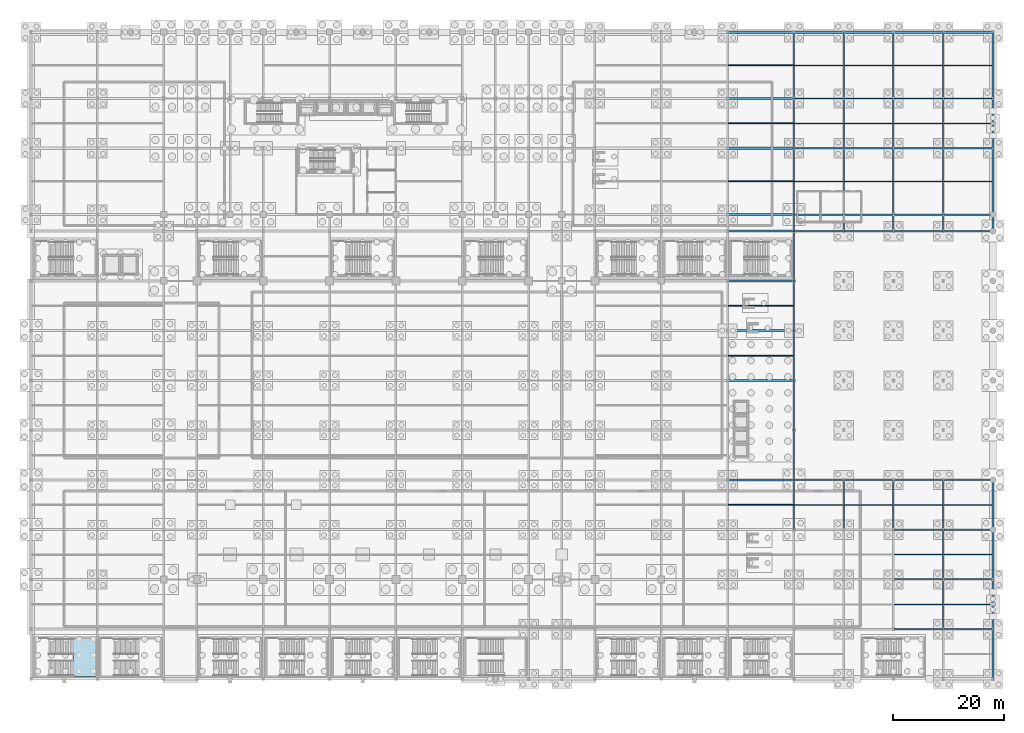
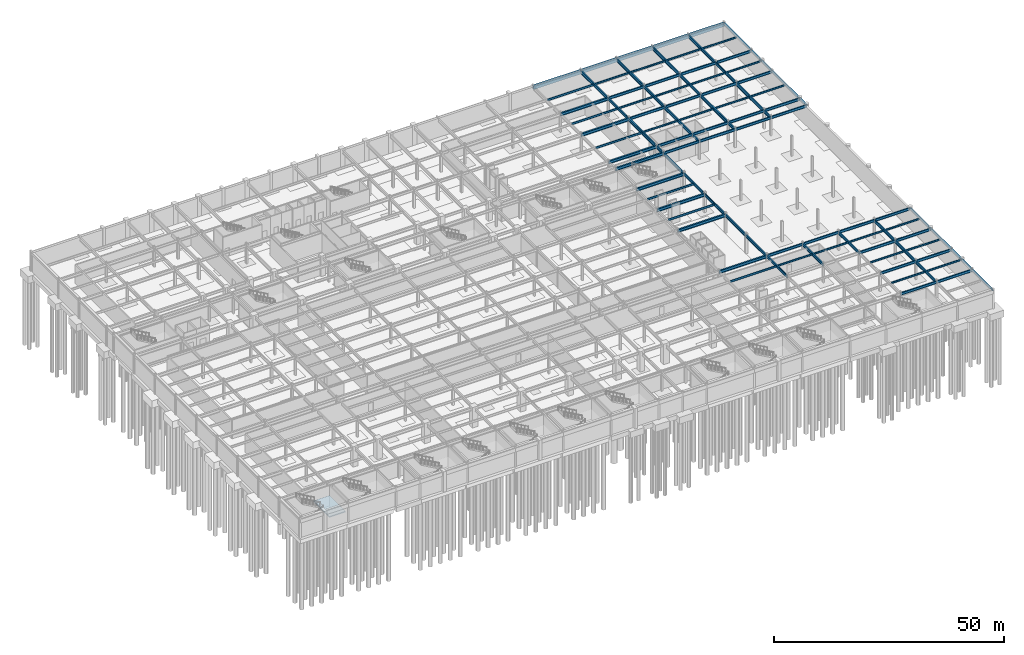
# One storey, part 21 of 47: 100 beams, 1 slab, 1 element without a shape of its own.
"""IFC4 building model written with IfcOpenShell, lengths in metres."""

import ifcopenshell
import ifcopenshell.guid

model = None  # the IFC model being written
_history = None  # IfcOwnerHistory: only IFC2X3 demands one
_inside = {}  # id of a spatial element -> (the spatial element, [elements in it])
_under = {}  # id of a project, library or spatial element -> (it, [spatial elements below it])
_declared = {}  # id of a project -> (the project, [libraries it declares])
_typed = {}  # id of a type object -> (the type object, [elements of that type])
_made_of = {}  # id of a material, layer set ... -> (it, [elements and type objects made of it])


def new_model(schema):
    """Start an empty IFC model of exactly this schema.

    Asked for "IFC4X3", IfcOpenShell would pick the latest addendum, in which some entities
    have other attributes; the version numbers below select the first issue.
    IFC2X3 requires an IfcOwnerHistory on every rooted entity: one is made here for all.
    """
    global model, _history
    if schema == "IFC4X3":
        model = ifcopenshell.file(schema_version=(4, 3, 0, 0))
    else:
        model = ifcopenshell.file(schema=schema)
    _inside.clear()
    _under.clear()
    _declared.clear()
    _typed.clear()
    _made_of.clear()
    _history = None
    if model.schema == "IFC2X3":
        org = make("IfcOrganization", Name="unknown")
        user = make(
            "IfcPersonAndOrganization",
            ThePerson=make("IfcPerson", FamilyName="unknown"),
            TheOrganization=org,
        )
        app = make(
            "IfcApplication",
            ApplicationDeveloper=org,
            Version="unknown",
            ApplicationFullName="unknown",
            ApplicationIdentifier="unknown",
        )
        _history = make(
            "IfcOwnerHistory",
            OwningUser=user,
            OwningApplication=app,
            ChangeAction="ADDED",
            CreationDate=0,
        )
    return model


def make(cls, **values):
    """One entity of the class cls with the attributes given. An attribute that is None is left unset."""
    return model.create_entity(
        cls, **{name: value for name, value in values.items() if value is not None}
    )


def rooted(cls, **values):
    """An entity with a GlobalId (a new one), such as an element, a storey or a relation."""
    return make(cls, GlobalId=ifcopenshell.guid.new(), OwnerHistory=_history, **values)


def si_unit(unit_type, name, prefix=None):
    """IfcSIUnit, for example si_unit("LENGTHUNIT", "METRE", prefix="MILLI")."""
    return make("IfcSIUnit", UnitType=unit_type, Prefix=prefix, Name=name)


def assignment(units):
    """IfcUnitAssignment: the units of a project."""
    return None if units is None else make("IfcUnitAssignment", Units=units)


def point(xyz):
    """IfcCartesianPoint."""
    return None if xyz is None else make("IfcCartesianPoint", Coordinates=xyz)


def direction(xyz):
    """IfcDirection."""
    return None if xyz is None else make("IfcDirection", DirectionRatios=xyz)


def frame(location, z_axis=None, x_axis=None):
    """IfcAxis2Placement3D, a coordinate frame: its origin and axes. An axis left out is left unset."""
    return make(
        "IfcAxis2Placement3D",
        Location=point(location),
        Axis=direction(z_axis),
        RefDirection=direction(x_axis),
    )


def frame_2d(location, x_axis=None):
    """IfcAxis2Placement2D, a coordinate frame in the plane: its origin and x axis."""
    return make(
        "IfcAxis2Placement2D", Location=point(location), RefDirection=direction(x_axis)
    )


def origin():
    """The frame at (0, 0, 0) with its axes left unset."""
    return frame((0.0, 0.0, 0.0))


def origin_2d():
    """The frame at (0, 0) in the plane with its x axis left unset."""
    return frame_2d((0.0, 0.0))


def place(relative_to, where):
    """IfcLocalPlacement: puts the frame where relative to a parent placement (None: the world)."""
    return make(
        "IfcLocalPlacement", PlacementRelTo=relative_to, RelativePlacement=where
    )


def context(
    kind, dimensions, precision=None, world=None, true_north=None, identifier=None
):
    """IfcGeometricRepresentationContext, for example the 3D "Model" context."""
    return make(
        "IfcGeometricRepresentationContext",
        ContextIdentifier=identifier,
        ContextType=kind,
        CoordinateSpaceDimension=dimensions,
        Precision=precision,
        WorldCoordinateSystem=world,
        TrueNorth=true_north,
    )


def subcontext(parent, identifier, kind, view, scale=None):
    """IfcGeometricRepresentationSubContext, for example "Body" below "Model"."""
    return make(
        "IfcGeometricRepresentationSubContext",
        ContextIdentifier=identifier,
        ContextType=kind,
        ParentContext=parent,
        TargetScale=scale,
        TargetView=view,
    )


def project(units=None, contexts=None):
    """IfcProject with its units and contexts."""
    return rooted(
        "IfcProject",
        Name="project",
        RepresentationContexts=contexts,
        UnitsInContext=assignment(units),
    )


def spatial(cls, under=None, at=None, **own):
    """A site, building, storey or space (cls), placed at a placement, below another one or the project."""
    s = rooted(cls, ObjectPlacement=at, **own)
    if under is not None:
        _under.setdefault(under.id(), (under, []))[1].append(s)
    return s


def polyline(points):
    """IfcPolyline through the points."""
    return make("IfcPolyline", Points=[point(p) for p in points])


def profile(cls, at=None, kind="AREA", **sizes):
    """A parametric profile (cls). Its sizes go by their IFC names, for example OverallWidth=200.0."""
    return make(cls, ProfileType=kind, Position=at, **sizes)


def rectangle(**sizes):
    """IfcRectangleProfileDef."""
    return profile("IfcRectangleProfileDef", **sizes)


def hollow_rectangle(**sizes):
    """IfcRectangleHollowProfileDef."""
    return profile("IfcRectangleHollowProfileDef", **sizes)


def i_section(**sizes):
    """IfcIShapeProfileDef."""
    return profile("IfcIShapeProfileDef", **sizes)


def outline(outer, holes=None, kind="AREA"):
    """IfcArbitraryClosedProfileDef: a profile drawn as a closed curve; with holes, ...WithVoids."""
    if holes is None:
        return make("IfcArbitraryClosedProfileDef", ProfileType=kind, OuterCurve=outer)
    return make(
        "IfcArbitraryProfileDefWithVoids",
        ProfileType=kind,
        OuterCurve=outer,
        InnerCurves=holes,
    )


def extrude(swept, where, along, depth):
    """IfcExtrudedAreaSolid: the profile swept, set in the frame where, extruded along a direction by depth."""
    return make(
        "IfcExtrudedAreaSolid",
        SweptArea=swept,
        Position=where,
        ExtrudedDirection=direction(along),
        Depth=depth,
    )


def shape(context_of_items, identifier, shape_type, items):
    """IfcShapeRepresentation: the items that make up one representation, for example the "Body"."""
    return make(
        "IfcShapeRepresentation",
        ContextOfItems=context_of_items,
        RepresentationIdentifier=identifier,
        RepresentationType=shape_type,
        Items=items,
    )


def material(Name=None, Category=None):
    """IfcMaterial."""
    return make("IfcMaterial", Name=Name, Category=Category)


def layer(
    of_material, thickness, ventilated=None, Name=None, Category=None, Priority=None
):
    """IfcMaterialLayer: one layer of a wall or slab, of a material (None: an air gap)."""
    return make(
        "IfcMaterialLayer",
        Material=of_material,
        LayerThickness=thickness,
        IsVentilated=ventilated,
        Name=Name,
        Category=Category,
        Priority=Priority,
    )


def layer_set(layers, Name=None):
    """IfcMaterialLayerSet."""
    return make("IfcMaterialLayerSet", MaterialLayers=layers, LayerSetName=Name)


def material_profile(
    of_material, cross_section, Name=None, Category=None, Priority=None
):
    """IfcMaterialProfile: a cross section and its material."""
    return make(
        "IfcMaterialProfile",
        Name=Name,
        Material=of_material,
        Profile=cross_section,
        Priority=Priority,
        Category=Category,
    )


def profile_set(profiles, Name=None, composite=None):
    """IfcMaterialProfileSet."""
    return make(
        "IfcMaterialProfileSet",
        Name=Name,
        MaterialProfiles=profiles,
        CompositeProfile=composite,
    )


def made_of(thing, what):
    """Note that an element or type object is made of a material, layer set ...; save() writes the relation."""
    if what is not None:
        _made_of.setdefault(what.id(), (what, []))[1].append(thing)
    return thing


def type_object(cls, material=None, **own):
    """A type object (cls), such as IfcWallType, which elements share."""
    return made_of(rooted(cls, **own), material)


def element(
    cls,
    number,
    at=None,
    inside=None,
    cuts=None,
    type_object=None,
    material=None,
    context=None,
    identifier="Body",
    shape_type=None,
    held_by="IfcProductDefinitionShape",
    body=None,
    shapes=None,
    **own,
):
    """One element of the class cls, such as IfcWall. Its Tag is "e" and its number.

    at: its placement. inside: the storey or other place that contains it. cuts: it is an
    opening in that element (IfcRelVoidsElement). A single representation is given by context,
    identifier, shape_type and body (its items); several are given by shapes. held_by: the class
    of the entity that holds the representations. save() writes the other relations.
    """
    e = rooted(cls, Tag="e%d" % number, ObjectPlacement=at, **own)
    if body is not None:
        shapes = [shape(context, identifier, shape_type, body)]
    if shapes is not None:
        e.Representation = make(held_by, Representations=shapes)
    if inside is not None:
        _inside.setdefault(inside.id(), (inside, []))[1].append(e)
    if cuts is not None:
        rooted(
            "IfcRelVoidsElement", RelatingBuildingElement=cuts, RelatedOpeningElement=e
        )
    if type_object is not None:
        _typed.setdefault(type_object.id(), (type_object, []))[1].append(e)
    return made_of(e, material)


def aggregate(whole, parts):
    """IfcRelAggregates: a whole, such as a stair, and the parts it consists of."""
    return rooted("IfcRelAggregates", RelatingObject=whole, RelatedObjects=parts)


def save(model, path):
    """Write the relations noted so far, then the file.

    IfcRelAggregates (storeys below a building ...), IfcRelContainedInSpatialStructure (elements
    in a storey), IfcRelDefinesByType, IfcRelAssociatesMaterial and IfcRelDeclares: one each for
    every whole, place, type object, material and project.
    """
    for whole, parts in _under.values():
        aggregate(whole, parts)
    for where, things in _inside.values():
        rooted(
            "IfcRelContainedInSpatialStructure",
            RelatedElements=things,
            RelatingStructure=where,
        )
    for kind, things in _typed.values():
        rooted("IfcRelDefinesByType", RelatedObjects=things, RelatingType=kind)
    for what, things in _made_of.values():
        rooted("IfcRelAssociatesMaterial", RelatedObjects=things, RelatingMaterial=what)
    for by, libraries in _declared.values():
        rooted("IfcRelDeclares", RelatingContext=by, RelatedDefinitions=libraries)
    model.write(path)


model = new_model("IFC4")

# Units and contexts
model_context = context("Model", 3, precision=1e-05, world=origin(), true_north=direction((0.0, 1.0)))
body_context = subcontext(model_context, "Body", "Model", "MODEL_VIEW")
ifc_project = project(units=[si_unit("LENGTHUNIT", "METRE"), si_unit("AREAUNIT", "SQUARE_METRE"), si_unit("VOLUMEUNIT", "CUBIC_METRE"), si_unit("PLANEANGLEUNIT", "RADIAN"), si_unit("MASSUNIT", "GRAM", prefix="KILO")], contexts=[model_context])

# Site, building, storey
site_placement = place(None, origin())
site = spatial("IfcSite", under=ifc_project, at=site_placement, CompositionType="ELEMENT")
building_placement = place(site_placement, origin())
building = spatial("IfcBuilding", under=site, at=building_placement, Name="Kaldorvane Square Convention Centre", CompositionType="ELEMENT")
storey_placement = place(building_placement, frame((0.0, 0.0, -5.399993896484375)))
storey = spatial("IfcBuildingStorey", under=building, at=storey_placement, Name="B01", CompositionType="ELEMENT", Elevation=-5.399993896484375)

# Beams
ifc_material_1 = material(Name="Steel ASTM A992 Gr. 50", Category="steel")
ifc_material_profile_1 = material_profile(ifc_material_1, i_section(OverallWidth=0.25439453125, OverallDepth=0.6880950927734375, WebThickness=0.0131072998046875, FlangeThickness=0.0211029052734375, FilletRadius=0.01519775390625, at=origin_2d()), Name="W27X102")
ifc_profile_set_1 = profile_set([ifc_material_profile_1], Name="Steel ASTM A992 Gr. 50")
beam_type_1 = type_object("IfcBeamType", Name="BM-GR-W27X102", PredefinedType="BEAM", material=ifc_profile_set_1)
for number, where, z_axis, x_axis, name in (
    (1, (156.0, 9.0, 4.6718902587890625), (1.0, 0.0, 0.0), (0.0, 1.0, 0.0), "Primary Girder (B01)"),
    (2, (165.0, 9.0, 4.6718902587890625), (1.0, 0.0, 0.0), (0.0, 1.0, 0.0), "Primary Girder (B01)"),
    (3, (156.0, 18.0, 4.6718902587890625), (1.0, 0.0, 0.0), (0.0, 1.0, 0.0), "Primary Girder (B01)"),
    (4, (165.0, 18.0, 4.6718902587890625), (1.0, 0.0, 0.0), (0.0, 1.0, 0.0), "Primary Girder (B01)"),
    (5, (156.0, 27.0, 4.6718902587890625), (1.0, 0.0, 0.0), (0.0, 1.0, 0.0), "Primary Girder (B01)"),
    (6, (165.0, 27.0, 4.6718902587890625), (1.0, 0.0, 0.0), (0.0, 1.0, 0.0), "Primary Girder (B01)"),
    (7, (138.0, 36.0, 4.6718902587890625), (1.0, 0.0, 0.0), (0.0, 1.0, 0.0), "Primary Girder (B01)"),
    (8, (147.0, 36.0, 4.6718902587890625), (1.0, 0.0, 0.0), (0.0, 1.0, 0.0), "Primary Girder (B01)"),
    (9, (156.0, 36.0, 4.6718902587890625), (1.0, 0.0, 0.0), (0.0, 1.0, 0.0), "Primary Girder (B01)"),
    (10, (165.0, 36.0, 4.6718902587890625), (1.0, 0.0, 0.0), (0.0, 1.0, 0.0), "Primary Girder (B01)"),
    (11, (138.0, 81.0, 4.6718902587890625), (1.0, 0.0, 0.0), (0.0, 1.0, 0.0), "Primary Girder (B01)"),
    (12, (147.0, 81.0, 4.6718902587890625), (1.0, 0.0, 0.0), (0.0, 1.0, 0.0), "Primary Girder (B01)"),
    (13, (156.0, 81.0, 4.6718902587890625), (1.0, 0.0, 0.0), (0.0, 1.0, 0.0), "Primary Girder (B01)"),
    (14, (165.0, 81.0, 4.6718902587890625), (1.0, 0.0, 0.0), (0.0, 1.0, 0.0), "Primary Girder (B01)"),
    (15, (138.0, 84.0, 4.6718902587890625), (1.0, 0.0, 0.0), (0.0, 1.0, 0.0), "Primary Girder (B01)"),
    (16, (147.0, 84.0, 4.6718902587890625), (1.0, 0.0, 0.0), (0.0, 1.0, 0.0), "Primary Girder (B01)"),
    (17, (156.0, 84.0, 4.6718902587890625), (1.0, 0.0, 0.0), (0.0, 1.0, 0.0), "Primary Girder (B01)"),
    (18, (165.0, 84.0, 4.6718902587890625), (1.0, 0.0, 0.0), (0.0, 1.0, 0.0), "Primary Girder (B01)"),
    (19, (138.0, 96.0, 4.6718902587890625), (1.0, 0.0, 0.0), (0.0, 1.0, 0.0), "Primary Girder (B01)"),
    (20, (147.0, 96.0, 4.6718902587890625), (1.0, 0.0, 0.0), (0.0, 1.0, 0.0), "Primary Girder (B01)"),
    (21, (156.0, 96.0, 4.6718902587890625), (1.0, 0.0, 0.0), (0.0, 1.0, 0.0), "Primary Girder (B01)"),
    (22, (165.0, 96.0, 4.6718902587890625), (1.0, 0.0, 0.0), (0.0, 1.0, 0.0), "Primary Girder (B01)"),
    (23, (138.0, 105.0, 4.6718902587890625), (1.0, 0.0, 0.0), (0.0, 1.0, 0.0), "Primary Girder (B01)"),
    (24, (147.0, 105.0, 4.6718902587890625), (1.0, 0.0, 0.0), (0.0, 1.0, 0.0), "Primary Girder (B01)"),
    (25, (156.0, 105.0, 4.6718902587890625), (1.0, 0.0, 0.0), (0.0, 1.0, 0.0), "Primary Girder (B01)"),
    (26, (165.0, 105.0, 4.6718902587890625), (1.0, 0.0, 0.0), (0.0, 1.0, 0.0), "Primary Girder (B01)"),
):
    element("IfcBeam", number, at=place(storey_placement, frame(where, z_axis=z_axis, x_axis=x_axis)), inside=storey, type_object=beam_type_1, Name=name, PredefinedType="BEAM", context=body_context, shape_type="SweptSolid", body=[
        extrude(i_section(OverallWidth=0.25439453125, OverallDepth=0.6880950927734375, WebThickness=0.0131072998046875, FlangeThickness=0.0211029052734375, FilletRadius=0.01519775390625, at=origin_2d()), origin(), (0.0, 0.0, 1.0), 9.0),
    ])
ifc_material_profile_2 = material_profile(ifc_material_1, i_section(OverallWidth=0.2666015625, OverallDepth=0.762298583984375, WebThickness=0.014404296875, FlangeThickness=0.0216064453125, FilletRadius=0.0164947509765625, at=origin_2d()), Name="W30X116")
ifc_profile_set_2 = profile_set([ifc_material_profile_2], Name="Steel ASTM A992 Gr. 50")
beam_type_2 = type_object("IfcBeamType", Name="BM-GR-W30X116", PredefinedType="BEAM", material=ifc_profile_set_2)
for number, where, z_axis, x_axis, name in (
    (27, (138.0, 27.0, 4.6348876953125), (0.0, 1.0, 0.0), (-1.0, 0.0, 0.0), "Transverse Girder (B01)"),
    (28, (138.0, 36.0, 4.6348876953125), (0.0, 1.0, 0.0), (-1.0, 0.0, 0.0), "Transverse Girder (B01)"),
    (29, (138.0, 45.0, 4.6348876953125), (0.0, 1.0, 0.0), (-1.0, 0.0, 0.0), "Transverse Girder (B01)"),
    (30, (138.0, 54.0, 4.6348876953125), (0.0, 1.0, 0.0), (-1.0, 0.0, 0.0), "Transverse Girder (B01)"),
    (31, (138.0, 63.0, 4.6348876953125), (0.0, 1.0, 0.0), (-1.0, 0.0, 0.0), "Transverse Girder (B01)"),
    (32, (138.0, 72.0, 4.6348876953125), (0.0, 1.0, 0.0), (-1.0, 0.0, 0.0), "Transverse Girder (B01)"),
):
    element("IfcBeam", number, at=place(storey_placement, frame(where, z_axis=z_axis, x_axis=x_axis)), inside=storey, type_object=beam_type_2, Name=name, PredefinedType="BEAM", context=body_context, shape_type="SweptSolid", body=[
        extrude(i_section(OverallWidth=0.2666015625, OverallDepth=0.762298583984375, WebThickness=0.014404296875, FlangeThickness=0.0216064453125, FilletRadius=0.0164947509765625, at=origin_2d()), origin(), (0.0, 0.0, 1.0), 9.0),
    ])
beam_1_placement = place(storey_placement, frame((138.0, 81.0, 4.6348876953125), z_axis=(0.0, 1.0, 0.0), x_axis=(-1.0, 0.0, 0.0)))
element("IfcBeam", 33, at=beam_1_placement, inside=storey, type_object=beam_type_2, Name="Transverse Girder (B01)", PredefinedType="BEAM", context=body_context, shape_type="SweptSolid", body=[
    extrude(i_section(OverallWidth=0.2666015625, OverallDepth=0.762298583984375, WebThickness=0.014404296875, FlangeThickness=0.0216064453125, FilletRadius=0.0164947509765625, at=origin_2d()), origin(), (0.0, 0.0, 1.0), 3.0),
])
for number, where, z_axis, x_axis, name in (
    (34, (138.0, 96.0, 4.6348876953125), (0.0, 1.0, 0.0), (-1.0, 0.0, 0.0), "Transverse Girder (B01)"),
    (35, (147.0, 27.0, 4.6348876953125), (0.0, 1.0, 0.0), (-1.0, 0.0, 0.0), "Transverse Girder (B01)"),
):
    element("IfcBeam", number, at=place(storey_placement, frame(where, z_axis=z_axis, x_axis=x_axis)), inside=storey, type_object=beam_type_2, Name=name, PredefinedType="BEAM", context=body_context, shape_type="SweptSolid", body=[
        extrude(i_section(OverallWidth=0.2666015625, OverallDepth=0.762298583984375, WebThickness=0.014404296875, FlangeThickness=0.0216064453125, FilletRadius=0.0164947509765625, at=origin_2d()), origin(), (0.0, 0.0, 1.0), 9.0),
    ])
beam_2_placement = place(storey_placement, frame((147.0, 81.0, 4.6348876953125), z_axis=(0.0, 1.0, 0.0), x_axis=(-1.0, 0.0, 0.0)))
element("IfcBeam", 36, at=beam_2_placement, inside=storey, type_object=beam_type_2, Name="Transverse Girder (B01)", PredefinedType="BEAM", context=body_context, shape_type="SweptSolid", body=[
    extrude(i_section(OverallWidth=0.2666015625, OverallDepth=0.762298583984375, WebThickness=0.014404296875, FlangeThickness=0.0216064453125, FilletRadius=0.0164947509765625, at=origin_2d()), origin(), (0.0, 0.0, 1.0), 3.0),
])
for number, where, z_axis, x_axis, name in (
    (37, (147.0, 96.0, 4.6348876953125), (0.0, 1.0, 0.0), (-1.0, 0.0, 0.0), "Transverse Girder (B01)"),
    (38, (156.0, 27.0, 4.6348876953125), (0.0, 1.0, 0.0), (-1.0, 0.0, 0.0), "Transverse Girder (B01)"),
):
    element("IfcBeam", number, at=place(storey_placement, frame(where, z_axis=z_axis, x_axis=x_axis)), inside=storey, type_object=beam_type_2, Name=name, PredefinedType="BEAM", context=body_context, shape_type="SweptSolid", body=[
        extrude(i_section(OverallWidth=0.2666015625, OverallDepth=0.762298583984375, WebThickness=0.014404296875, FlangeThickness=0.0216064453125, FilletRadius=0.0164947509765625, at=origin_2d()), origin(), (0.0, 0.0, 1.0), 9.0),
    ])
beam_3_placement = place(storey_placement, frame((156.0, 81.0, 4.6348876953125), z_axis=(0.0, 1.0, 0.0), x_axis=(-1.0, 0.0, 0.0)))
element("IfcBeam", 39, at=beam_3_placement, inside=storey, type_object=beam_type_2, Name="Transverse Girder (B01)", PredefinedType="BEAM", context=body_context, shape_type="SweptSolid", body=[
    extrude(i_section(OverallWidth=0.2666015625, OverallDepth=0.762298583984375, WebThickness=0.014404296875, FlangeThickness=0.0216064453125, FilletRadius=0.0164947509765625, at=origin_2d()), origin(), (0.0, 0.0, 1.0), 3.0),
])
for number, where, z_axis, x_axis, name in (
    (40, (156.0, 96.0, 4.6348876953125), (0.0, 1.0, 0.0), (-1.0, 0.0, 0.0), "Transverse Girder (B01)"),
    (41, (165.0, 9.0, 4.6348876953125), (0.0, 1.0, 0.0), (-1.0, 0.0, 0.0), "Transverse Girder (B01)"),
    (42, (165.0, 18.0, 4.6348876953125), (0.0, 1.0, 0.0), (-1.0, 0.0, 0.0), "Transverse Girder (B01)"),
    (43, (165.0, 27.0, 4.6348876953125), (0.0, 1.0, 0.0), (-1.0, 0.0, 0.0), "Transverse Girder (B01)"),
):
    element("IfcBeam", number, at=place(storey_placement, frame(where, z_axis=z_axis, x_axis=x_axis)), inside=storey, type_object=beam_type_2, Name=name, PredefinedType="BEAM", context=body_context, shape_type="SweptSolid", body=[
        extrude(i_section(OverallWidth=0.2666015625, OverallDepth=0.762298583984375, WebThickness=0.014404296875, FlangeThickness=0.0216064453125, FilletRadius=0.0164947509765625, at=origin_2d()), origin(), (0.0, 0.0, 1.0), 9.0),
    ])
beam_4_placement = place(storey_placement, frame((165.0, 81.0, 4.6348876953125), z_axis=(0.0, 1.0, 0.0), x_axis=(-1.0, 0.0, 0.0)))
element("IfcBeam", 44, at=beam_4_placement, inside=storey, type_object=beam_type_2, Name="Transverse Girder (B01)", PredefinedType="BEAM", context=body_context, shape_type="SweptSolid", body=[
    extrude(i_section(OverallWidth=0.2666015625, OverallDepth=0.762298583984375, WebThickness=0.014404296875, FlangeThickness=0.0216064453125, FilletRadius=0.0164947509765625, at=origin_2d()), origin(), (0.0, 0.0, 1.0), 3.0),
])
beam_5_placement = place(storey_placement, frame((165.0, 96.0, 4.6348876953125), z_axis=(0.0, 1.0, 0.0), x_axis=(-1.0, 0.0, 0.0)))
element("IfcBeam", 45, at=beam_5_placement, inside=storey, type_object=beam_type_2, Name="Transverse Girder (B01)", PredefinedType="BEAM", context=body_context, shape_type="SweptSolid", body=[
    extrude(i_section(OverallWidth=0.2666015625, OverallDepth=0.762298583984375, WebThickness=0.014404296875, FlangeThickness=0.0216064453125, FilletRadius=0.0164947509765625, at=origin_2d()), origin(), (0.0, 0.0, 1.0), 9.0),
])
ifc_material_profile_3 = material_profile(ifc_material_1, i_section(OverallWidth=0.380706787109375, OverallDepth=0.773193359375, WebThickness=0.0166015625, FlangeThickness=0.027099609375, FilletRadius=0.0164947509765625, at=origin_2d()), Name="W30X173")
ifc_profile_set_3 = profile_set([ifc_material_profile_3], Name="Steel ASTM A992 Gr. 50")
beam_type_3 = type_object("IfcBeamType", Name="BM-GR-W30X173", PredefinedType="BEAM", material=ifc_profile_set_3)
for number, where, z_axis, x_axis, name in (
    (46, (126.0, 36.0, 4.62939453125), (1.0, 0.0, 0.0), (0.0, 1.0, 0.0), "Primary Girder (B01)"),
    (47, (126.0, 54.0, 4.62939453125), (1.0, 0.0, 0.0), (0.0, 1.0, 0.0), "Primary Girder (B01)"),
    (48, (126.0, 63.0, 4.62939453125), (1.0, 0.0, 0.0), (0.0, 1.0, 0.0), "Primary Girder (B01)"),
    (49, (126.0, 72.0, 4.62939453125), (1.0, 0.0, 0.0), (0.0, 1.0, 0.0), "Primary Girder (B01)"),
    (50, (126.0, 81.0, 4.62939453125), (1.0, 0.0, 0.0), (0.0, 1.0, 0.0), "Primary Girder (B01)"),
    (51, (126.0, 84.0, 4.62939453125), (1.0, 0.0, 0.0), (0.0, 1.0, 0.0), "Primary Girder (B01)"),
    (52, (126.0, 96.0, 4.62939453125), (1.0, 0.0, 0.0), (0.0, 1.0, 0.0), "Primary Girder (B01)"),
    (53, (126.0, 105.0, 4.62939453125), (1.0, 0.0, 0.0), (0.0, 1.0, 0.0), "Primary Girder (B01)"),
):
    element("IfcBeam", number, at=place(storey_placement, frame(where, z_axis=z_axis, x_axis=x_axis)), inside=storey, type_object=beam_type_3, Name=name, PredefinedType="BEAM", context=body_context, shape_type="SweptSolid", body=[
        extrude(i_section(OverallWidth=0.380706787109375, OverallDepth=0.773193359375, WebThickness=0.0166015625, FlangeThickness=0.027099609375, FilletRadius=0.0164947509765625, at=origin_2d()), origin(), (0.0, 0.0, 1.0), 12.0),
    ])
ifc_material_profile_4 = material_profile(ifc_material_1, i_section(OverallWidth=0.292999267578125, OverallDepth=0.845794677734375, WebThickness=0.0153961181640625, FlangeThickness=0.0243988037109375, FilletRadius=0.0178070068359375, at=origin_2d()), Name="W33X141")
ifc_profile_set_4 = profile_set([ifc_material_profile_4], Name="Steel ASTM A992 Gr. 50")
beam_type_4 = type_object("IfcBeamType", Name="BM-GR-W33X141", PredefinedType="BEAM", material=ifc_profile_set_4)
for number, where, z_axis, x_axis, name in (
    (54, (138.0, 84.0, 4.5930938720703125), (0.0, 1.0, 0.0), (-1.0, 0.0, 0.0), "Transverse Girder (B01)"),
    (55, (138.0, 105.0, 4.5930938720703125), (0.0, 1.0, 0.0), (-1.0, 0.0, 0.0), "Transverse Girder (B01)"),
    (56, (147.0, 84.0, 4.5930938720703125), (0.0, 1.0, 0.0), (-1.0, 0.0, 0.0), "Transverse Girder (B01)"),
    (57, (147.0, 105.0, 4.5930938720703125), (0.0, 1.0, 0.0), (-1.0, 0.0, 0.0), "Transverse Girder (B01)"),
    (58, (156.0, 84.0, 4.5930938720703125), (0.0, 1.0, 0.0), (-1.0, 0.0, 0.0), "Transverse Girder (B01)"),
    (59, (156.0, 105.0, 4.5930938720703125), (0.0, 1.0, 0.0), (-1.0, 0.0, 0.0), "Transverse Girder (B01)"),
    (60, (165.0, 84.0, 4.5930938720703125), (0.0, 1.0, 0.0), (-1.0, 0.0, 0.0), "Transverse Girder (B01)"),
    (61, (165.0, 105.0, 4.5930938720703125), (0.0, 1.0, 0.0), (-1.0, 0.0, 0.0), "Transverse Girder (B01)"),
):
    element("IfcBeam", number, at=place(storey_placement, frame(where, z_axis=z_axis, x_axis=x_axis)), inside=storey, type_object=beam_type_4, Name=name, PredefinedType="BEAM", context=body_context, shape_type="SweptSolid", body=[
        extrude(i_section(OverallWidth=0.292999267578125, OverallDepth=0.845794677734375, WebThickness=0.0153961181640625, FlangeThickness=0.0243988037109375, FilletRadius=0.0178070068359375, at=origin_2d()), origin(), (0.0, 0.0, 1.0), 12.0),
    ])
ifc_material_profile_5 = material_profile(ifc_material_1, i_section(OverallWidth=0.1912994384765625, OverallDepth=0.4600067138671875, WebThickness=0.0099029541015625, FlangeThickness=0.0160064697265625, FilletRadius=0.01019287109375, at=origin_2d()), Name="W18X55")
ifc_profile_set_5 = profile_set([ifc_material_profile_5], Name="Steel ASTM A992 Gr. 50")
beam_type_5 = type_object("IfcBeamType", Name="BM-JS-W18X55", PredefinedType="JOIST", material=ifc_profile_set_5)
beam_6_placement = place(storey_placement, frame((156.13330078125, 13.5, 4.7859954833984375), z_axis=(1.0, 0.0, 0.0), x_axis=(0.0, 1.0, 0.0)))
element("IfcBeam", 62, at=beam_6_placement, inside=storey, type_object=beam_type_5, Name="Secondary Floor Joist (B01)", PredefinedType="JOIST", context=body_context, shape_type="SweptSolid", body=[
    extrude(i_section(OverallWidth=0.1912994384765625, OverallDepth=0.4600067138671875, WebThickness=0.0099029541015625, FlangeThickness=0.0160064697265625, FilletRadius=0.01019287109375, at=origin_2d()), origin(), (0.0, 0.0, 1.0), 8.7333984375),
])
beam_7_placement = place(storey_placement, frame((165.13330078125, 13.5, 4.7859954833984375), z_axis=(1.0, 0.0, 0.0), x_axis=(0.0, 1.0, 0.0)))
element("IfcBeam", 63, at=beam_7_placement, inside=storey, type_object=beam_type_5, Name="Secondary Floor Joist (B01)", PredefinedType="JOIST", context=body_context, shape_type="SweptSolid", body=[
    extrude(i_section(OverallWidth=0.1912994384765625, OverallDepth=0.4600067138671875, WebThickness=0.0099029541015625, FlangeThickness=0.0160064697265625, FilletRadius=0.01019287109375, at=origin_2d()), origin(), (0.0, 0.0, 1.0), 8.71429443359375),
])
beam_8_placement = place(storey_placement, frame((156.13330078125, 22.5, 4.7859954833984375), z_axis=(1.0, 0.0, 0.0), x_axis=(0.0, 1.0, 0.0)))
element("IfcBeam", 64, at=beam_8_placement, inside=storey, type_object=beam_type_5, Name="Secondary Floor Joist (B01)", PredefinedType="JOIST", context=body_context, shape_type="SweptSolid", body=[
    extrude(i_section(OverallWidth=0.1912994384765625, OverallDepth=0.4600067138671875, WebThickness=0.0099029541015625, FlangeThickness=0.0160064697265625, FilletRadius=0.01019287109375, at=origin_2d()), origin(), (0.0, 0.0, 1.0), 8.7333984375),
])
beam_9_placement = place(storey_placement, frame((165.13330078125, 22.5, 4.7859954833984375), z_axis=(1.0, 0.0, 0.0), x_axis=(0.0, 1.0, 0.0)))
element("IfcBeam", 65, at=beam_9_placement, inside=storey, type_object=beam_type_5, Name="Secondary Floor Joist (B01)", PredefinedType="JOIST", context=body_context, shape_type="SweptSolid", body=[
    extrude(i_section(OverallWidth=0.1912994384765625, OverallDepth=0.4600067138671875, WebThickness=0.0099029541015625, FlangeThickness=0.0160064697265625, FilletRadius=0.01019287109375, at=origin_2d()), origin(), (0.0, 0.0, 1.0), 8.71429443359375),
])
for number, where, z_axis, x_axis, name in (
    (66, (138.13330078125, 31.5, 4.7859954833984375), (1.0, 0.0, 0.0), (0.0, 1.0, 0.0), "Secondary Floor Joist (B01)"),
    (67, (147.13330078125, 31.5, 4.7859954833984375), (1.0, 0.0, 0.0), (0.0, 1.0, 0.0), "Secondary Floor Joist (B01)"),
    (68, (156.13330078125, 31.5, 4.7859954833984375), (1.0, 0.0, 0.0), (0.0, 1.0, 0.0), "Secondary Floor Joist (B01)"),
):
    element("IfcBeam", number, at=place(storey_placement, frame(where, z_axis=z_axis, x_axis=x_axis)), inside=storey, type_object=beam_type_5, Name=name, PredefinedType="JOIST", context=body_context, shape_type="SweptSolid", body=[
        extrude(i_section(OverallWidth=0.1912994384765625, OverallDepth=0.4600067138671875, WebThickness=0.0099029541015625, FlangeThickness=0.0160064697265625, FilletRadius=0.01019287109375, at=origin_2d()), origin(), (0.0, 0.0, 1.0), 8.7333984375),
    ])
beam_10_placement = place(storey_placement, frame((165.13330078125, 31.5, 4.7859954833984375), z_axis=(1.0, 0.0, 0.0), x_axis=(0.0, 1.0, 0.0)))
element("IfcBeam", 69, at=beam_10_placement, inside=storey, type_object=beam_type_5, Name="Secondary Floor Joist (B01)", PredefinedType="JOIST", context=body_context, shape_type="SweptSolid", body=[
    extrude(i_section(OverallWidth=0.1912994384765625, OverallDepth=0.4600067138671875, WebThickness=0.0099029541015625, FlangeThickness=0.0160064697265625, FilletRadius=0.01019287109375, at=origin_2d()), origin(), (0.0, 0.0, 1.0), 8.71429443359375),
])
for number, where, z_axis, x_axis, name in (
    (70, (138.14649963378906, 90.0, 4.7859954833984375), (1.0, 0.0, 0.0), (0.0, 1.0, 0.0), "Secondary Floor Joist (B01)"),
    (71, (147.14649963378906, 90.0, 4.7859954833984375), (1.0, 0.0, 0.0), (0.0, 1.0, 0.0), "Secondary Floor Joist (B01)"),
    (72, (156.14649963378906, 90.0, 4.7859954833984375), (1.0, 0.0, 0.0), (0.0, 1.0, 0.0), "Secondary Floor Joist (B01)"),
):
    element("IfcBeam", number, at=place(storey_placement, frame(where, z_axis=z_axis, x_axis=x_axis)), inside=storey, type_object=beam_type_5, Name=name, PredefinedType="JOIST", context=body_context, shape_type="SweptSolid", body=[
        extrude(i_section(OverallWidth=0.1912994384765625, OverallDepth=0.4600067138671875, WebThickness=0.0099029541015625, FlangeThickness=0.0160064697265625, FilletRadius=0.01019287109375, at=origin_2d()), origin(), (0.0, 0.0, 1.0), 8.707000732421875),
    ])
beam_11_placement = place(storey_placement, frame((165.14649963378906, 90.0, 4.7859954833984375), z_axis=(1.0, 0.0, 0.0), x_axis=(0.0, 1.0, 0.0)))
element("IfcBeam", 73, at=beam_11_placement, inside=storey, type_object=beam_type_5, Name="Secondary Floor Joist (B01)", PredefinedType="JOIST", context=body_context, shape_type="SweptSolid", body=[
    extrude(i_section(OverallWidth=0.1912994384765625, OverallDepth=0.4600067138671875, WebThickness=0.0099029541015625, FlangeThickness=0.0160064697265625, FilletRadius=0.01019287109375, at=origin_2d()), origin(), (0.0, 0.0, 1.0), 8.701095581054688),
])
for number, where, z_axis, x_axis, name in (
    (74, (138.13330078125, 100.5, 4.7859954833984375), (1.0, 0.0, 0.0), (0.0, 1.0, 0.0), "Secondary Floor Joist (B01)"),
    (75, (147.13330078125, 100.5, 4.7859954833984375), (1.0, 0.0, 0.0), (0.0, 1.0, 0.0), "Secondary Floor Joist (B01)"),
    (76, (156.13330078125, 100.5, 4.7859954833984375), (1.0, 0.0, 0.0), (0.0, 1.0, 0.0), "Secondary Floor Joist (B01)"),
):
    element("IfcBeam", number, at=place(storey_placement, frame(where, z_axis=z_axis, x_axis=x_axis)), inside=storey, type_object=beam_type_5, Name=name, PredefinedType="JOIST", context=body_context, shape_type="SweptSolid", body=[
        extrude(i_section(OverallWidth=0.1912994384765625, OverallDepth=0.4600067138671875, WebThickness=0.0099029541015625, FlangeThickness=0.0160064697265625, FilletRadius=0.01019287109375, at=origin_2d()), origin(), (0.0, 0.0, 1.0), 8.7333984375),
    ])
beam_12_placement = place(storey_placement, frame((165.13330078125, 100.5, 4.7859954833984375), z_axis=(1.0, 0.0, 0.0), x_axis=(0.0, 1.0, 0.0)))
element("IfcBeam", 77, at=beam_12_placement, inside=storey, type_object=beam_type_5, Name="Secondary Floor Joist (B01)", PredefinedType="JOIST", context=body_context, shape_type="SweptSolid", body=[
    extrude(i_section(OverallWidth=0.1912994384765625, OverallDepth=0.4600067138671875, WebThickness=0.0099029541015625, FlangeThickness=0.0160064697265625, FilletRadius=0.01019287109375, at=origin_2d()), origin(), (0.0, 0.0, 1.0), 8.71429443359375),
])
for number, where, z_axis, x_axis, name in (
    (78, (138.14649963378906, 111.0, 4.7859954833984375), (1.0, 0.0, 0.0), (0.0, 1.0, 0.0), "Secondary Floor Joist (B01)"),
    (79, (147.14649963378906, 111.0, 4.7859954833984375), (1.0, 0.0, 0.0), (0.0, 1.0, 0.0), "Secondary Floor Joist (B01)"),
    (80, (156.14649963378906, 111.0, 4.7859954833984375), (1.0, 0.0, 0.0), (0.0, 1.0, 0.0), "Secondary Floor Joist (B01)"),
):
    element("IfcBeam", number, at=place(storey_placement, frame(where, z_axis=z_axis, x_axis=x_axis)), inside=storey, type_object=beam_type_5, Name=name, PredefinedType="JOIST", context=body_context, shape_type="SweptSolid", body=[
        extrude(i_section(OverallWidth=0.1912994384765625, OverallDepth=0.4600067138671875, WebThickness=0.0099029541015625, FlangeThickness=0.0160064697265625, FilletRadius=0.01019287109375, at=origin_2d()), origin(), (0.0, 0.0, 1.0), 8.707000732421875),
    ])
beam_13_placement = place(storey_placement, frame((165.14649963378906, 111.0, 4.7859954833984375), z_axis=(1.0, 0.0, 0.0), x_axis=(0.0, 1.0, 0.0)))
element("IfcBeam", 81, at=beam_13_placement, inside=storey, type_object=beam_type_5, Name="Secondary Floor Joist (B01)", PredefinedType="JOIST", context=body_context, shape_type="SweptSolid", body=[
    extrude(i_section(OverallWidth=0.1912994384765625, OverallDepth=0.4600067138671875, WebThickness=0.0099029541015625, FlangeThickness=0.0160064697265625, FilletRadius=0.01019287109375, at=origin_2d()), origin(), (0.0, 0.0, 1.0), 8.701095581054688),
])
ifc_material_profile_6 = material_profile(ifc_material_1, i_section(OverallWidth=0.1658935546875, OverallDepth=0.5290985107421875, WebThickness=0.00970458984375, FlangeThickness=0.0135955810546875, FilletRadius=0.0126953125, at=origin_2d()), Name="W21X50")
ifc_profile_set_6 = profile_set([ifc_material_profile_6], Name="Steel ASTM A992 Gr. 50")
beam_type_6 = type_object("IfcBeamType", Name="BM-JS-W21X50", PredefinedType="JOIST", material=ifc_profile_set_6)
for number, where, z_axis, x_axis, name in (
    (82, (126.13330078125, 31.5, 4.751495361328125), (1.0, 0.0, 0.0), (0.0, 1.0, 0.0), "Secondary Floor Joist (B01)"),
    (83, (126.13330078125, 58.5, 4.751495361328125), (1.0, 0.0, 0.0), (0.0, 1.0, 0.0), "Secondary Floor Joist (B01)"),
    (84, (126.13330078125, 67.5, 4.751495361328125), (1.0, 0.0, 0.0), (0.0, 1.0, 0.0), "Secondary Floor Joist (B01)"),
):
    element("IfcBeam", number, at=place(storey_placement, frame(where, z_axis=z_axis, x_axis=x_axis)), inside=storey, type_object=beam_type_6, Name=name, PredefinedType="JOIST", context=body_context, shape_type="SweptSolid", body=[
        extrude(i_section(OverallWidth=0.1658935546875, OverallDepth=0.5290985107421875, WebThickness=0.00970458984375, FlangeThickness=0.0135955810546875, FilletRadius=0.0126953125, at=origin_2d()), origin(), (0.0, 0.0, 1.0), 11.7333984375),
    ])
beam_14_placement = place(storey_placement, frame((126.14649963378906, 90.0, 4.751495361328125), z_axis=(1.0, 0.0, 0.0), x_axis=(0.0, 1.0, 0.0)))
element("IfcBeam", 85, at=beam_14_placement, inside=storey, type_object=beam_type_6, Name="Secondary Floor Joist (B01)", PredefinedType="JOIST", context=body_context, shape_type="SweptSolid", body=[
    extrude(i_section(OverallWidth=0.1658935546875, OverallDepth=0.5290985107421875, WebThickness=0.00970458984375, FlangeThickness=0.0135955810546875, FilletRadius=0.0126953125, at=origin_2d()), origin(), (0.0, 0.0, 1.0), 11.707000732421875),
])
beam_15_placement = place(storey_placement, frame((126.13330078125, 100.5, 4.751495361328125), z_axis=(1.0, 0.0, 0.0), x_axis=(0.0, 1.0, 0.0)))
element("IfcBeam", 86, at=beam_15_placement, inside=storey, type_object=beam_type_6, Name="Secondary Floor Joist (B01)", PredefinedType="JOIST", context=body_context, shape_type="SweptSolid", body=[
    extrude(i_section(OverallWidth=0.1658935546875, OverallDepth=0.5290985107421875, WebThickness=0.00970458984375, FlangeThickness=0.0135955810546875, FilletRadius=0.0126953125, at=origin_2d()), origin(), (0.0, 0.0, 1.0), 11.7333984375),
])
beam_16_placement = place(storey_placement, frame((126.14649963378906, 111.0, 4.751495361328125), z_axis=(1.0, 0.0, 0.0), x_axis=(0.0, 1.0, 0.0)))
element("IfcBeam", 87, at=beam_16_placement, inside=storey, type_object=beam_type_6, Name="Secondary Floor Joist (B01)", PredefinedType="JOIST", context=body_context, shape_type="SweptSolid", body=[
    extrude(i_section(OverallWidth=0.1658935546875, OverallDepth=0.5290985107421875, WebThickness=0.00970458984375, FlangeThickness=0.0135955810546875, FilletRadius=0.0126953125, at=origin_2d()), origin(), (0.0, 0.0, 1.0), 11.707000732421875),
])
ifc_material_2 = material(Name="Steel ASTM A500 Gr. C", Category="steel")
ifc_material_profile_7 = material_profile(ifc_material_2, hollow_rectangle(XDim=0.3047943115234375, YDim=0.406402587890625, WallThickness=0.0117950439453125, at=origin_2d()), Name="HSS16X12X1/2")
ifc_profile_set_7 = profile_set([ifc_material_profile_7], Name="Steel ASTM A500 Gr. C")
beam_type_7 = type_object("IfcBeamType", Name="BM-SP-HSS16", PredefinedType="SPANDREL", material=ifc_profile_set_7)
for number, where, z_axis, x_axis, name in (
    (88, (174.0, 0.0, 4.8127899169921875), (0.0, 1.0, 0.0), (-1.0, 0.0, 0.0), "End Spandrel (B01)"),
    (89, (174.0, 9.0, 4.8127899169921875), (0.0, 1.0, 0.0), (-1.0, 0.0, 0.0), "End Spandrel (B01)"),
    (90, (174.0, 18.0, 4.8127899169921875), (0.0, 1.0, 0.0), (-1.0, 0.0, 0.0), "End Spandrel (B01)"),
    (91, (174.0, 27.0, 4.8127899169921875), (0.0, 1.0, 0.0), (-1.0, 0.0, 0.0), "End Spandrel (B01)"),
):
    element("IfcBeam", number, at=place(storey_placement, frame(where, z_axis=z_axis, x_axis=x_axis)), inside=storey, type_object=beam_type_7, Name=name, PredefinedType="SPANDREL", context=body_context, shape_type="SweptSolid", body=[
        extrude(hollow_rectangle(XDim=0.3047943115234375, YDim=0.406402587890625, WallThickness=0.0117950439453125, at=origin_2d()), origin(), (0.0, 0.0, 1.0), 9.0),
    ])
beam_17_placement = place(storey_placement, frame((174.0, 81.0, 4.8127899169921875), z_axis=(0.0, 1.0, 0.0), x_axis=(-1.0, 0.0, 0.0)))
element("IfcBeam", 92, at=beam_17_placement, inside=storey, type_object=beam_type_7, Name="End Spandrel (B01)", PredefinedType="SPANDREL", context=body_context, shape_type="SweptSolid", body=[
    extrude(hollow_rectangle(XDim=0.3047943115234375, YDim=0.406402587890625, WallThickness=0.0117950439453125, at=origin_2d()), origin(), (0.0, 0.0, 1.0), 3.0),
])
beam_18_placement = place(storey_placement, frame((174.0, 84.0, 4.8127899169921875), z_axis=(0.0, 1.0, 0.0), x_axis=(-1.0, 0.0, 0.0)))
element("IfcBeam", 93, at=beam_18_placement, inside=storey, type_object=beam_type_7, Name="End Spandrel (B01)", PredefinedType="SPANDREL", context=body_context, shape_type="SweptSolid", body=[
    extrude(hollow_rectangle(XDim=0.3047943115234375, YDim=0.406402587890625, WallThickness=0.0117950439453125, at=origin_2d()), origin(), (0.0, 0.0, 1.0), 12.0),
])
beam_19_placement = place(storey_placement, frame((174.0, 96.0, 4.8127899169921875), z_axis=(0.0, 1.0, 0.0), x_axis=(-1.0, 0.0, 0.0)))
element("IfcBeam", 94, at=beam_19_placement, inside=storey, type_object=beam_type_7, Name="End Spandrel (B01)", PredefinedType="SPANDREL", context=body_context, shape_type="SweptSolid", body=[
    extrude(hollow_rectangle(XDim=0.3047943115234375, YDim=0.406402587890625, WallThickness=0.0117950439453125, at=origin_2d()), origin(), (0.0, 0.0, 1.0), 9.0),
])
beam_20_placement = place(storey_placement, frame((174.0, 105.0, 4.8127899169921875), z_axis=(0.0, 1.0, 0.0), x_axis=(-1.0, 0.0, 0.0)))
element("IfcBeam", 95, at=beam_20_placement, inside=storey, type_object=beam_type_7, Name="End Spandrel (B01)", PredefinedType="SPANDREL", context=body_context, shape_type="SweptSolid", body=[
    extrude(hollow_rectangle(XDim=0.3047943115234375, YDim=0.406402587890625, WallThickness=0.0117950439453125, at=origin_2d()), origin(), (0.0, 0.0, 1.0), 12.0),
])
ifc_material_3 = material(Name="Concrete f'c = 42 MPa (Normalweight)", Category="concrete")
ifc_material_profile_8 = material_profile(ifc_material_3, rectangle(XDim=0.4499969482421875, YDim=1.0, at=origin_2d()), Name="RCSP1000X450")
ifc_profile_set_8 = profile_set([ifc_material_profile_8], Name="Concrete f'c = 42 MPa (Normalweight)")
beam_type_8 = type_object("IfcBeamType", Name="BM-SP-RC1000", PredefinedType="SPANDREL", material=ifc_profile_set_8)
beam_21_placement = place(storey_placement, frame((126.0, 117.0, 4.5159912109375), z_axis=(1.0, 0.0, 0.0), x_axis=(0.0, 1.0, 0.0)))
element("IfcBeam", 96, at=beam_21_placement, inside=storey, type_object=beam_type_8, Name="Perimeter Spandrel (B01)", PredefinedType="SPANDREL", context=body_context, shape_type="SweptSolid", body=[
    extrude(rectangle(XDim=0.4499969482421875, YDim=1.0, at=origin_2d()), origin(), (0.0, 0.0, 1.0), 12.0),
])
for number, where, z_axis, x_axis, name in (
    (97, (138.0, 117.0, 4.5159912109375), (1.0, 0.0, 0.0), (0.0, 1.0, 0.0), "Perimeter Spandrel (B01)"),
    (98, (147.0, 117.0, 4.5159912109375), (1.0, 0.0, 0.0), (0.0, 1.0, 0.0), "Perimeter Spandrel (B01)"),
    (99, (156.0, 117.0, 4.5159912109375), (1.0, 0.0, 0.0), (0.0, 1.0, 0.0), "Perimeter Spandrel (B01)"),
    (100, (165.0, 117.0, 4.5159912109375), (1.0, 0.0, 0.0), (0.0, 1.0, 0.0), "Perimeter Spandrel (B01)"),
):
    element("IfcBeam", number, at=place(storey_placement, frame(where, z_axis=z_axis, x_axis=x_axis)), inside=storey, type_object=beam_type_8, Name=name, PredefinedType="SPANDREL", context=body_context, shape_type="SweptSolid", body=[
        extrude(rectangle(XDim=0.4499969482421875, YDim=1.0, at=origin_2d()), origin(), (0.0, 0.0, 1.0), 9.0),
    ])

# Stair, slab
stair_type = type_object("IfcStairType", Name="ST-DL-2800-5400-D6710", PredefinedType="HALF_TURN_STAIR", material=ifc_material_3)
stair_placement = place(storey_placement, origin())
stair = element("IfcStair", 101, at=stair_placement, inside=storey, type_object=stair_type, Name="Convention Exit Stair C1 (B01)", PredefinedType="HALF_TURN_STAIR")
ifc_layer = layer(ifc_material_3, 0.2400054931640625)
ifc_layer_set = layer_set([ifc_layer], Name="Concrete f'c = 42 MPa (Normalweight)")
slab_type = type_object("IfcSlabType", Name="SL-LAND-240", PredefinedType="LANDING", material=ifc_layer_set)
slab_placement = place(storey_placement, frame((0.0, 0.0, 2.459991455078125)))
slab = element("IfcSlab", 102, at=slab_placement, type_object=slab_type, Name="Convention Exit Stair C1 Half Landing (B01)", PredefinedType="LANDING", context=body_context, shape_type="SweptSolid", body=[
    extrude(outline(polyline([(7.6300048828125, 0.42999267578125), (11.699996948242188, 0.42999267578125), (11.699996948242188, 7.3800048828125), (7.6300048828125, 7.3800048828125), (7.6300048828125, 0.42999267578125)])), origin(), (0.0, 0.0, 1.0), 0.2400054931640625),
])
aggregate(stair, [slab])

save(model, "model.ifc")
